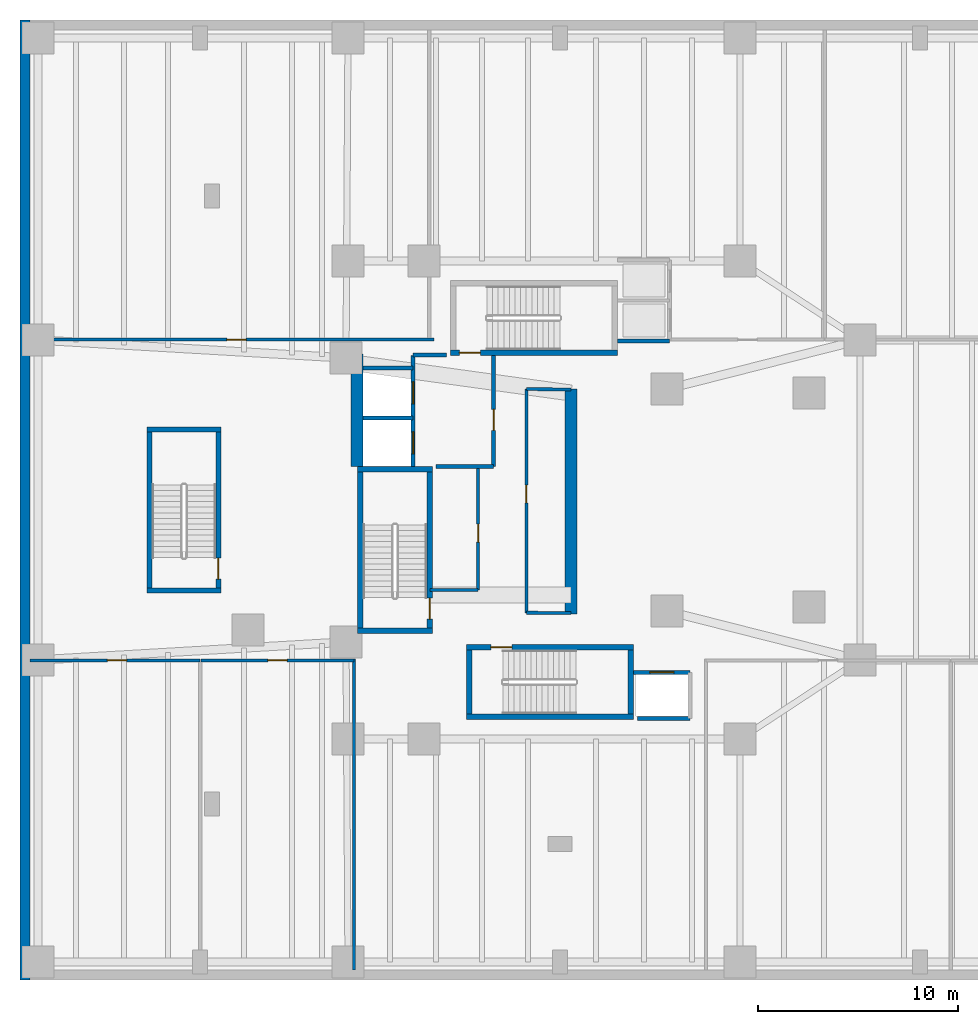
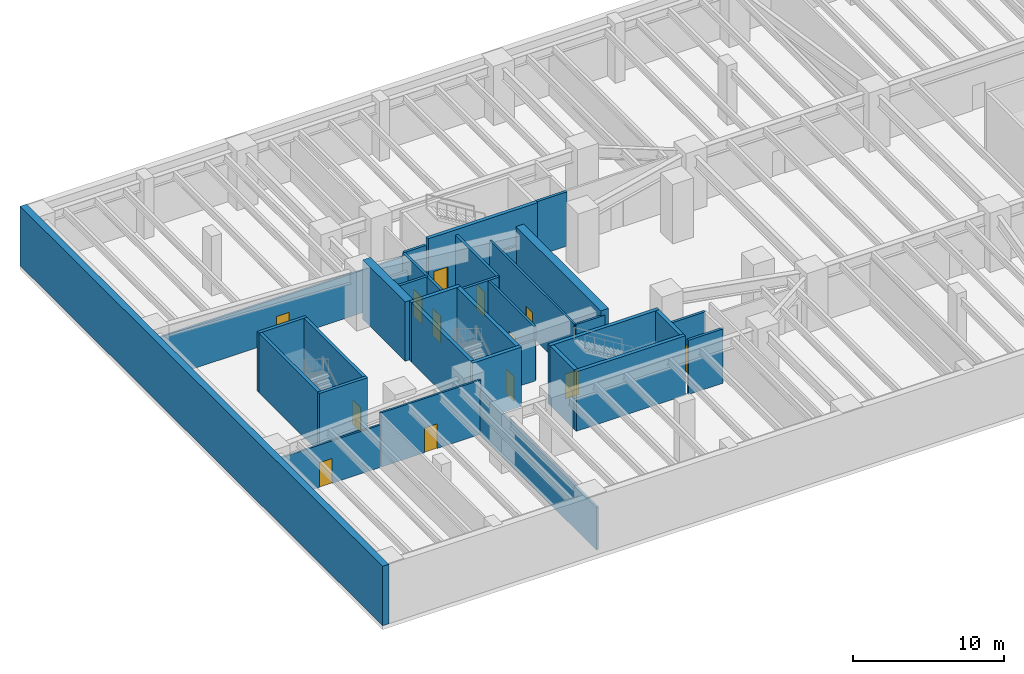
# One storey, part 3 of 9: 34 walls, 13 doors, 13 openings.
"""IFC4 building model written with IfcOpenShell, lengths in metres."""

from ifc_helpers import new_model, si_unit, direction, frame, frame_2d, origin, place, context, subcontext, project, spatial, rectangle, extrude, material, layer, layer_set, type_object, element, fill, save


model = new_model("IFC4")

# Units and contexts
model_context = context("Model", 3, precision=1e-05, world=origin(), true_north=direction((0.0, 1.0)))
body_context = subcontext(model_context, "Body", "Model", "MODEL_VIEW")
ifc_project = project(units=[si_unit("LENGTHUNIT", "METRE"), si_unit("AREAUNIT", "SQUARE_METRE"), si_unit("VOLUMEUNIT", "CUBIC_METRE"), si_unit("PLANEANGLEUNIT", "RADIAN"), si_unit("MASSUNIT", "GRAM", prefix="KILO"), si_unit("THERMODYNAMICTEMPERATUREUNIT", "KELVIN"), si_unit("POWERUNIT", "WATT")], contexts=[model_context])

# Site, building, storey
site_placement = place(None, origin())
site = spatial("IfcSite", under=ifc_project, at=site_placement, CompositionType="ELEMENT")
building_placement = place(site_placement, origin())
building = spatial("IfcBuilding", under=site, at=building_placement, Name="Skarre Station Tower", CompositionType="ELEMENT")
storey_placement = place(building_placement, frame((0.0, 0.0, -4.800048828125)))
storey = spatial("IfcBuildingStorey", under=building, at=storey_placement, Name="B01", CompositionType="ELEMENT", Elevation=-4.800048828125)

# Wall
ifc_material_1 = material(Name="Concrete C50/60", Category="concrete")
ifc_layer_1 = layer(ifc_material_1, 0.5, Name="Concrete C50/60")
ifc_layer_set_1 = layer_set([ifc_layer_1], Name="Concrete C50/60")
wall_type_1 = type_object("IfcWallType", Name="Basement Perimeter Retaining Wall 500", PredefinedType="USERDEFINED", material=ifc_layer_set_1)
wall_1_placement = place(storey_placement, frame((0.25, 0.0, 0.0), z_axis=(0.0, 0.0, 1.0), x_axis=(0.0, 1.0, 0.0)))
element("IfcWall", 1, at=wall_1_placement, inside=storey, type_object=wall_type_1, Name="B01 Perimeter Retaining Wall W", ObjectType="RETAININGWALL", PredefinedType="USERDEFINED", context=body_context, shape_type="SweptSolid", body=[
    extrude(rectangle(XDim=48.0, YDim=0.5, at=frame_2d((24.0, 0.0))), origin(), (0.0, 0.0, 1.0), 4.800048828125),
])

# Wall, opening, door
ifc_material_2 = material(Name="Acoustic Steel-Stud Gypsum Partition", Category="steel")
ifc_layer_2 = layer(ifc_material_2, 0.14990234375, Name="Acoustic Steel-Stud Gypsum Partition")
ifc_layer_set_2 = layer_set([ifc_layer_2], Name="Acoustic Steel-Stud Gypsum Partition")
wall_type_2 = type_object("IfcWallType", Name="Fire-Rated Corridor Acoustic Partition 150", PredefinedType="PARTITIONING", material=ifc_layer_set_2)
wall_2_placement = place(storey_placement, frame((22.89990234375, 19.5, 0.0), z_axis=(0.0, 0.0, 1.0), x_axis=(0.0, 1.0, 0.0)))
wall_2 = element("IfcWall", 2, at=wall_2_placement, inside=storey, type_object=wall_type_2, Name="B01 Interior Partition WL-PT-B01-B3-E", PredefinedType="PARTITIONING", context=body_context, shape_type="SweptSolid", body=[
    extrude(rectangle(XDim=6.10009765625, YDim=0.159912109375, at=frame_2d((3.050048828125, 0.0))), origin(), (0.0, 0.0, 1.0), 4.380126953125),
])
opening_1_placement = place(wall_2_placement, frame((2.39990234375, 0.0, 0.0)))
opening_1 = element("IfcOpeningElement", 3, at=opening_1_placement, cuts=wall_2, Name="Opening DR-SVC90", PredefinedType="OPENING", context=body_context, shape_type="SweptSolid", body=[
    extrude(rectangle(XDim=0.89990234375, YDim=2.0, at=frame_2d((0.449951171875, 1.0))), frame((0.0, 0.08984375, 0.0), z_axis=(0.0, -1.0, 0.0), x_axis=(1.0, 0.0, 0.0)), (0.0, 0.0, 1.0), 0.179931640625),
])
ifc_material_3 = material(Name="Powder-Coated Hollow-Metal Acoustic Fire Leaf", Category="steel")
door_type_1 = type_object("IfcDoorType", Name="Service & Riser Fire Door FD60 900x2100", OperationType="SINGLE_SWING_LEFT", PredefinedType="DOOR", material=ifc_material_3)
door_1_placement = place(opening_1_placement, origin())
door_1 = element("IfcDoor", 4, at=door_1_placement, inside=storey, type_object=door_type_1, Name="B01 Basement Riser Door", OperationType="SINGLE_SWING_RIGHT", OverallHeight=2.0, OverallWidth=0.89990234375, PredefinedType="DOOR", context=body_context, shape_type="SweptSolid", body=[
    extrude(rectangle(XDim=0.89990234375, YDim=2.0, at=frame_2d((0.449951171875, 1.0))), frame((0.0, 0.02490234375, 0.0), z_axis=(0.0, -1.0, 0.0), x_axis=(1.0, 0.0, 0.0)), (0.0, 0.0, 1.0), 0.050048828125),
])
fill(opening_1, door_1)

# Wall
wall_3_placement = place(storey_placement, frame((20.489990234375, 19.5, 0.0), z_axis=(0.0, 0.0, 1.0), x_axis=(1.0, 0.0, 0.0)))
element("IfcWall", 5, at=wall_3_placement, inside=storey, type_object=wall_type_2, Name="B01 Interior Partition WL-PT-B01-B3-S", PredefinedType="PARTITIONING", context=body_context, shape_type="SweptSolid", body=[
    extrude(rectangle(XDim=2.409912109375, YDim=0.159912109375, at=frame_2d((1.205078125, 0.0))), origin(), (0.0, 0.0, 1.0), 3.280029296875),
])

# Wall, opening, door
wall_4_placement = place(storey_placement, frame((25.320068359375, 29.550048828125, 0.0), z_axis=(0.0, 0.0, 1.0), x_axis=(0.0, -1.0, 0.0)))
wall_4 = element("IfcWall", 6, at=wall_4_placement, inside=storey, type_object=wall_type_2, Name="B01 Interior Partition WL-PT-B01-B12-W", PredefinedType="PARTITIONING", context=body_context, shape_type="SweptSolid", body=[
    extrude(rectangle(XDim=11.18994140625, YDim=0.159912109375, at=frame_2d((5.594970703125, 0.0))), origin(), (0.0, 0.0, 1.0), 4.380126953125),
])
opening_2_placement = place(wall_4_placement, frame((4.800048828125, 0.0, 0.0)))
opening_2 = element("IfcOpeningElement", 7, at=opening_2_placement, cuts=wall_4, Name="Opening DR-SVC90", PredefinedType="OPENING", context=body_context, shape_type="SweptSolid", body=[
    extrude(rectangle(XDim=0.89990234375, YDim=2.0, at=frame_2d((0.449951171875, 1.0))), frame((0.0, 0.08984375, 0.0), z_axis=(0.0, -1.0, 0.0), x_axis=(1.0, 0.0, 0.0)), (0.0, 0.0, 1.0), 0.179931640625),
])
door_2_placement = place(opening_2_placement, origin())
door_2 = element("IfcDoor", 8, at=door_2_placement, inside=storey, type_object=door_type_1, Name="B01 Hydronic Riser Door", OperationType="SINGLE_SWING_LEFT", OverallHeight=2.0, OverallWidth=0.89990234375, PredefinedType="DOOR", context=body_context, shape_type="SweptSolid", body=[
    extrude(rectangle(XDim=0.89990234375, YDim=2.0, at=frame_2d((0.449951171875, 1.0))), frame((0.0, 0.02490234375, 0.0), z_axis=(0.0, -1.0, 0.0), x_axis=(1.0, 0.0, 0.0)), (0.0, 0.0, 1.0), 0.050048828125),
])
fill(opening_2, door_2)

# Walls
wall_5_placement = place(storey_placement, frame((25.320068359375, 18.360107421875, 0.0), z_axis=(0.0, 0.0, 1.0), x_axis=(0.999989925833, -0.004488678231, 0.0)))
element("IfcWall", 9, at=wall_5_placement, inside=storey, type_object=wall_type_2, Name="B01 Interior Partition WL-PT-B01-B12-S", PredefinedType="PARTITIONING", context=body_context, shape_type="SweptSolid", body=[
    extrude(rectangle(XDim=2.22998046875, YDim=0.159912109375, at=frame_2d((1.114990234375, 0.0))), origin(), (0.0, 0.0, 1.0), 4.380126953125),
])
wall_6_placement = place(storey_placement, frame((27.550048828125, 29.52001953125, 0.0), z_axis=(0.0, 0.0, 1.0), x_axis=(-0.999909343457, 0.013464949556, 0.0)))
element("IfcWall", 10, at=wall_6_placement, inside=storey, type_object=wall_type_2, Name="B01 Interior Partition WL-PT-B01-B12-N", PredefinedType="PARTITIONING", context=body_context, shape_type="SweptSolid", body=[
    extrude(rectangle(XDim=2.230224609375, YDim=0.159912109375, at=frame_2d((1.115234375, 0.0))), origin(), (0.0, 0.0, 1.0), 3.280029296875),
])

# Wall, opening, door
wall_7_placement = place(storey_placement, frame((0.4951171875, 15.97998046875, 0.0), z_axis=(0.0, 0.0, 1.0), x_axis=(1.0, 0.0, 0.0)))
wall_7 = element("IfcWall", 11, at=wall_7_placement, inside=storey, type_object=wall_type_2, Name="B01 Interior Partition WL-PT-B01-PDSW1-CW", PredefinedType="PARTITIONING", context=body_context, shape_type="SweptSolid", body=[
    extrude(rectangle(XDim=8.498779296875, YDim=0.14990234375, at=frame_2d((4.24951171875, 0.0))), origin(), (0.0, 0.0, 1.0), 3.43212890625),
])
opening_3_placement = place(wall_7_placement, frame((3.8720703125, 0.0, 0.0)))
opening_3 = element("IfcOpeningElement", 12, at=opening_3_placement, cuts=wall_7, Name="Opening DR-FD60", PredefinedType="OPENING", context=body_context, shape_type="SweptSolid", body=[
    extrude(rectangle(XDim=0.9599609375, YDim=2.0, at=frame_2d((0.47998046875, 1.0))), frame((0.0, 0.0849609375, 0.0), z_axis=(0.0, -1.0, 0.0), x_axis=(1.0, 0.0, 0.0)), (0.0, 0.0, 1.0), 0.169921875),
])
ifc_material_4 = material(Name="Nordic White-Oak Veneer Solid-Core Fire Leaf", Category="wood")
door_type_2 = type_object("IfcDoorType", Name="Corridor Suite Entry Fire Door FD60 960x2150", OperationType="SINGLE_SWING_LEFT", PredefinedType="DOOR", material=ifc_material_4)
door_3_placement = place(opening_3_placement, origin())
door_3 = element("IfcDoor", 13, at=door_3_placement, inside=storey, type_object=door_type_2, Name="B01 PDSW1 Entry Door", OperationType="SINGLE_SWING_LEFT", OverallHeight=2.0, OverallWidth=0.9599609375, PredefinedType="DOOR", context=body_context, shape_type="SweptSolid", body=[
    extrude(rectangle(XDim=0.9599609375, YDim=2.0, at=frame_2d((0.47998046875, 1.0))), frame((0.0, 0.02490234375, 0.0), z_axis=(0.0, -1.0, 0.0), x_axis=(1.0, 0.0, 0.0)), (0.0, 0.0, 1.0), 0.050048828125),
])
fill(opening_3, door_3)

wall_8_placement = place(storey_placement, frame((9.0458984375, 15.97998046875, 0.0), z_axis=(0.0, 0.0, 1.0), x_axis=(1.0, 0.0, 0.0)))
wall_8 = element("IfcWall", 14, at=wall_8_placement, inside=storey, type_object=wall_type_2, Name="B01 Interior Partition WL-PT-B01-PDSW2-CW", PredefinedType="PARTITIONING", context=body_context, shape_type="SweptSolid", body=[
    extrude(rectangle(XDim=7.654052734375, YDim=0.14990234375, at=frame_2d((3.8271484375, 0.0))), origin(), (0.0, 0.0, 1.0), 4.380126953125),
])
opening_4_placement = place(wall_8_placement, frame((3.346923828125, 0.0, 0.0)))
opening_4 = element("IfcOpeningElement", 15, at=opening_4_placement, cuts=wall_8, Name="Opening DR-FD60", PredefinedType="OPENING", context=body_context, shape_type="SweptSolid", body=[
    extrude(rectangle(XDim=0.9599609375, YDim=2.0, at=frame_2d((0.47998046875, 1.0))), frame((0.0, 0.0849609375, 0.0), z_axis=(0.0, -1.0, 0.0), x_axis=(1.0, 0.0, 0.0)), (0.0, 0.0, 1.0), 0.169921875),
])
door_4_placement = place(opening_4_placement, origin())
door_4 = element("IfcDoor", 16, at=door_4_placement, inside=storey, type_object=door_type_2, Name="B01 PDSW2 Entry Door", OperationType="SINGLE_SWING_LEFT", OverallHeight=2.0, OverallWidth=0.9599609375, PredefinedType="DOOR", context=body_context, shape_type="SweptSolid", body=[
    extrude(rectangle(XDim=0.9599609375, YDim=2.0, at=frame_2d((0.47998046875, 1.0))), frame((0.0, 0.02490234375, 0.0), z_axis=(0.0, -1.0, 0.0), x_axis=(1.0, 0.0, 0.0)), (0.0, 0.0, 1.0), 0.050048828125),
])
fill(opening_4, door_4)

wall_9_placement = place(storey_placement, frame((20.69189453125, 32.02001953125, 0.0), z_axis=(0.0, 0.0, 1.0), x_axis=(-1.0, 0.0, 0.0)))
wall_9 = element("IfcWall", 17, at=wall_9_placement, inside=storey, type_object=wall_type_2, Name="B01 Interior Partition WL-PT-B01-PDN1-CW", PredefinedType="PARTITIONING", context=body_context, shape_type="SweptSolid", body=[
    extrude(rectangle(XDim=20.19677734375, YDim=0.14990234375, at=frame_2d((10.098388671875, 0.0))), origin(), (0.0, 0.0, 1.0), 3.43212890625),
])
opening_5_placement = place(wall_9_placement, frame((9.39111328125, 0.0, 0.0)))
opening_5 = element("IfcOpeningElement", 18, at=opening_5_placement, cuts=wall_9, Name="Opening DR-FD60", PredefinedType="OPENING", context=body_context, shape_type="SweptSolid", body=[
    extrude(rectangle(XDim=0.9599609375, YDim=2.0, at=frame_2d((0.47998046875, 1.0))), frame((0.0, 0.0849609375, 0.0), z_axis=(0.0, -1.0, 0.0), x_axis=(1.0, 0.0, 0.0)), (0.0, 0.0, 1.0), 0.169921875),
])
door_5_placement = place(opening_5_placement, origin())
door_5 = element("IfcDoor", 19, at=door_5_placement, inside=storey, type_object=door_type_2, Name="B01 PDN1 Entry Door", OperationType="SINGLE_SWING_LEFT", OverallHeight=2.0, OverallWidth=0.9599609375, PredefinedType="DOOR", context=body_context, shape_type="SweptSolid", body=[
    extrude(rectangle(XDim=0.9599609375, YDim=2.0, at=frame_2d((0.47998046875, 1.0))), frame((0.0, 0.02490234375, 0.0), z_axis=(0.0, -1.0, 0.0), x_axis=(1.0, 0.0, 0.0)), (0.0, 0.0, 1.0), 0.050048828125),
])
fill(opening_5, door_5)

# Walls
ifc_layer_3 = layer(ifc_material_1, 0.239990234375, Name="Concrete C50/60")
ifc_layer_set_3 = layer_set([ifc_layer_3], Name="Concrete C50/60")
wall_type_3 = type_object("IfcWallType", Name="RC Core Shear Wall 240", PredefinedType="SHEAR", material=ifc_layer_set_3)
for number, where, z_axis, x_axis, name in (
    (20, (6.360107421875, 19.47998046875, 0.0), (0.0, 0.0, 1.0), (1.0, 0.0, 0.0), "B01 Podium Stair ST-4 South Shear Wall"),
    (21, (10.0400390625, 27.52001953125, 0.0), (0.0, 0.0, 1.0), (-1.0, 0.0, 0.0), "B01 Podium Stair ST-4 North Shear Wall"),
):
    element("IfcWall", number, at=place(storey_placement, frame(where, z_axis=z_axis, x_axis=x_axis)), inside=storey, type_object=wall_type_3, Name=name, PredefinedType="SHEAR", context=body_context, shape_type="SweptSolid", body=[
        extrude(rectangle(XDim=3.679931640625, YDim=0.239990234375, at=frame_2d((1.83984375, 0.0))), origin(), (0.0, 0.0, 1.0), 4.800048828125),
    ])
wall_10_placement = place(storey_placement, frame((6.47998046875, 27.39990234375, 0.0), z_axis=(0.0, 0.0, 1.0), x_axis=(0.0, -1.0, 0.0)))
element("IfcWall", 22, at=wall_10_placement, inside=storey, type_object=wall_type_3, Name="B01 Podium Stair ST-4 West Shear Wall", PredefinedType="SHEAR", context=body_context, shape_type="SweptSolid", body=[
    extrude(rectangle(XDim=7.7998046875, YDim=0.239990234375, at=frame_2d((3.89990234375, 0.0))), origin(), (0.0, 0.0, 1.0), 4.800048828125),
])

# Wall, opening, door
wall_11_placement = place(storey_placement, frame((9.919921875, 19.60009765625, 0.0), z_axis=(0.0, 0.0, 1.0), x_axis=(0.0, 1.0, 0.0)))
wall_11 = element("IfcWall", 23, at=wall_11_placement, inside=storey, type_object=wall_type_3, Name="B01 Podium Stair ST-4 East Shear Wall", PredefinedType="SHEAR", context=body_context, shape_type="SweptSolid", body=[
    extrude(rectangle(XDim=7.7998046875, YDim=0.239990234375, at=frame_2d((3.89990234375, 0.0))), origin(), (0.0, 0.0, 1.0), 4.800048828125),
])
opening_6_placement = place(wall_11_placement, frame((0.43994140625, 0.0, 0.0)))
opening_6 = element("IfcOpeningElement", 24, at=opening_6_placement, cuts=wall_11, Name="Opening DR-FD90", PredefinedType="OPENING", context=body_context, shape_type="SweptSolid", body=[
    extrude(rectangle(XDim=1.050048828125, YDim=2.0, at=frame_2d((0.52490234375, 1.0))), frame((0.0, 0.1298828125, 0.0), z_axis=(0.0, -1.0, 0.0), x_axis=(1.0, 0.0, 0.0)), (0.0, 0.0, 1.0), 0.260009765625),
])
ifc_material_5 = material(Name="Fire-Rated Insulated Steel Frame & Timber Core Leaf", Category="steel")
door_type_3 = type_object("IfcDoorType", Name="Stair & FSAE Lobby Fire Door FD90 1050x2150", OperationType="SINGLE_SWING_RIGHT", PredefinedType="DOOR", material=ifc_material_5)
door_6_placement = place(opening_6_placement, origin())
door_6 = element("IfcDoor", 25, at=door_6_placement, inside=storey, type_object=door_type_3, Name="B01 Podium Stair ST-4 Exit Door", OperationType="SINGLE_SWING_RIGHT", OverallHeight=2.0, OverallWidth=1.050048828125, PredefinedType="DOOR", context=body_context, shape_type="SweptSolid", body=[
    extrude(rectangle(XDim=1.050048828125, YDim=2.0, at=frame_2d((0.52490234375, 1.0))), frame((0.0, 0.02490234375, 0.0), z_axis=(0.0, -1.0, 0.0), x_axis=(1.0, 0.0, 0.0)), (0.0, 0.0, 1.0), 0.050048828125),
])
fill(opening_6, door_6)

# Walls
ifc_layer_4 = layer(ifc_material_1, 0.280029296875, Name="Concrete C50/60")
ifc_layer_set_4 = layer_set([ifc_layer_4], Name="Concrete C50/60")
wall_type_4 = type_object("IfcWallType", Name="RC Core Shear Wall 280", PredefinedType="SHEAR", material=ifc_layer_set_4)
for number, where, z_axis, x_axis, name in (
    (26, (16.8701171875, 17.4599609375, 0.0), (0.0, 0.0, 1.0), (1.0, 0.0, 0.0), "B01 Stair ST-1 South Shear Wall"),
    (27, (20.6298828125, 25.5400390625, 0.0), (0.0, 0.0, 1.0), (-1.0, 0.0, 0.0), "B01 Stair ST-1 North Shear Wall"),
):
    element("IfcWall", number, at=place(storey_placement, frame(where, z_axis=z_axis, x_axis=x_axis)), inside=storey, type_object=wall_type_4, Name=name, PredefinedType="SHEAR", context=body_context, shape_type="SweptSolid", body=[
        extrude(rectangle(XDim=3.759765625, YDim=0.280029296875, at=frame_2d((1.8798828125, 0.0))), origin(), (0.0, 0.0, 1.0), 4.800048828125),
    ])
wall_12_placement = place(storey_placement, frame((17.010009765625, 25.39990234375, 0.0), z_axis=(0.0, 0.0, 1.0), x_axis=(0.0, -1.0, 0.0)))
element("IfcWall", 28, at=wall_12_placement, inside=storey, type_object=wall_type_4, Name="B01 Stair ST-1 West Shear Wall", PredefinedType="SHEAR", context=body_context, shape_type="SweptSolid", body=[
    extrude(rectangle(XDim=7.7998046875, YDim=0.280029296875, at=frame_2d((3.89990234375, 0.0))), origin(), (0.0, 0.0, 1.0), 4.800048828125),
])

# Wall, opening, door
wall_13_placement = place(storey_placement, frame((20.489990234375, 17.60009765625, 0.0), z_axis=(0.0, 0.0, 1.0), x_axis=(0.0, 1.0, 0.0)))
wall_13 = element("IfcWall", 29, at=wall_13_placement, inside=storey, type_object=wall_type_4, Name="B01 Stair ST-1 East Shear Wall", PredefinedType="SHEAR", context=body_context, shape_type="SweptSolid", body=[
    extrude(rectangle(XDim=7.7998046875, YDim=0.280029296875, at=frame_2d((3.89990234375, 0.0))), origin(), (0.0, 0.0, 1.0), 4.800048828125),
])
opening_7_placement = place(wall_13_placement, frame((0.43994140625, 0.0, 0.0)))
opening_7 = element("IfcOpeningElement", 30, at=opening_7_placement, cuts=wall_13, Name="Opening DR-FD90", PredefinedType="OPENING", context=body_context, shape_type="SweptSolid", body=[
    extrude(rectangle(XDim=1.050048828125, YDim=2.0, at=frame_2d((0.52490234375, 1.0))), frame((0.0, 0.14990234375, 0.0), z_axis=(0.0, -1.0, 0.0), x_axis=(1.0, 0.0, 0.0)), (0.0, 0.0, 1.0), 0.300048828125),
])
door_7_placement = place(opening_7_placement, origin())
door_7 = element("IfcDoor", 31, at=door_7_placement, inside=storey, type_object=door_type_3, Name="B01 Stair ST-1 Exit Door", OperationType="SINGLE_SWING_RIGHT", OverallHeight=2.0, OverallWidth=1.050048828125, PredefinedType="DOOR", context=body_context, shape_type="SweptSolid", body=[
    extrude(rectangle(XDim=1.050048828125, YDim=2.0, at=frame_2d((0.52490234375, 1.0))), frame((0.0, 0.02490234375, 0.0), z_axis=(0.0, -1.0, 0.0), x_axis=(1.0, 0.0, 0.0)), (0.0, 0.0, 1.0), 0.050048828125),
])
fill(opening_7, door_7)

# Wall
wall_14_placement = place(storey_placement, frame((22.320068359375, 13.159912109375, 0.0), z_axis=(0.0, 0.0, 1.0), x_axis=(1.0, 0.0, 0.0)))
element("IfcWall", 32, at=wall_14_placement, inside=storey, type_object=wall_type_4, Name="B01 Stair ST-2 South Shear Wall", PredefinedType="SHEAR", context=body_context, shape_type="SweptSolid", body=[
    extrude(rectangle(XDim=8.35986328125, YDim=0.280029296875, at=frame_2d((4.179931640625, 0.0))), origin(), (0.0, 0.0, 1.0), 4.800048828125),
])

# Wall, opening, door
wall_15_placement = place(storey_placement, frame((30.679931640625, 16.639892578125, 0.0), z_axis=(0.0, 0.0, 1.0), x_axis=(-1.0, 0.0, 0.0)))
wall_15 = element("IfcWall", 33, at=wall_15_placement, inside=storey, type_object=wall_type_4, Name="B01 Stair ST-2 North Shear Wall", PredefinedType="SHEAR", context=body_context, shape_type="SweptSolid", body=[
    extrude(rectangle(XDim=8.35986328125, YDim=0.280029296875, at=frame_2d((4.179931640625, 0.0))), origin(), (0.0, 0.0, 1.0), 4.800048828125),
])
opening_8_placement = place(wall_15_placement, frame((6.080078125, 0.0, 0.0)))
opening_8 = element("IfcOpeningElement", 34, at=opening_8_placement, cuts=wall_15, Name="Opening DR-FD90", PredefinedType="OPENING", context=body_context, shape_type="SweptSolid", body=[
    extrude(rectangle(XDim=1.050048828125, YDim=2.0, at=frame_2d((0.52490234375, 1.0))), frame((0.0, 0.14990234375, 0.0), z_axis=(0.0, -1.0, 0.0), x_axis=(1.0, 0.0, 0.0)), (0.0, 0.0, 1.0), 0.300048828125),
])
door_8_placement = place(opening_8_placement, origin())
door_8 = element("IfcDoor", 35, at=door_8_placement, inside=storey, type_object=door_type_3, Name="B01 Stair ST-2 Exit Door", OperationType="SINGLE_SWING_RIGHT", OverallHeight=2.0, OverallWidth=1.050048828125, PredefinedType="DOOR", context=body_context, shape_type="SweptSolid", body=[
    extrude(rectangle(XDim=1.050048828125, YDim=2.0, at=frame_2d((0.52490234375, 1.0))), frame((0.0, 0.02490234375, 0.0), z_axis=(0.0, -1.0, 0.0), x_axis=(1.0, 0.0, 0.0)), (0.0, 0.0, 1.0), 0.050048828125),
])
fill(opening_8, door_8)

# Walls
for number, where, z_axis, x_axis, name in (
    (36, (22.4599609375, 16.5, 0.0), (0.0, 0.0, 1.0), (0.0, -1.0, 0.0), "B01 Stair ST-2 West Shear Wall"),
    (37, (30.5400390625, 13.300048828125, 0.0), (0.0, 0.0, 1.0), (0.0, 1.0, 0.0), "B01 Stair ST-2 East Shear Wall"),
):
    element("IfcWall", number, at=place(storey_placement, frame(where, z_axis=z_axis, x_axis=x_axis)), inside=storey, type_object=wall_type_4, Name=name, PredefinedType="SHEAR", context=body_context, shape_type="SweptSolid", body=[
        extrude(rectangle(XDim=3.199951171875, YDim=0.280029296875, at=frame_2d((1.60009765625, 0.0))), origin(), (0.0, 0.0, 1.0), 4.800048828125),
    ])

# Wall, opening, door
wall_16_placement = place(storey_placement, frame((21.52001953125, 31.360107421875, 0.0), z_axis=(0.0, 0.0, 1.0), x_axis=(1.0, 0.0, 0.0)))
wall_16 = element("IfcWall", 38, at=wall_16_placement, inside=storey, type_object=wall_type_4, Name="B01 Stair ST-3 South Shear Wall", PredefinedType="SHEAR", context=body_context, shape_type="SweptSolid", body=[
    extrude(rectangle(XDim=8.35986328125, YDim=0.280029296875, at=frame_2d((4.179931640625, 0.0))), origin(), (0.0, 0.0, 1.0), 4.800048828125),
])
opening_9_placement = place(wall_16_placement, frame((0.449951171875, 0.0, 0.0)))
opening_9 = element("IfcOpeningElement", 39, at=opening_9_placement, cuts=wall_16, Name="Opening DR-FD90", PredefinedType="OPENING", context=body_context, shape_type="SweptSolid", body=[
    extrude(rectangle(XDim=1.050048828125, YDim=2.0, at=frame_2d((0.52490234375, 1.0))), frame((0.0, 0.14990234375, 0.0), z_axis=(0.0, -1.0, 0.0), x_axis=(1.0, 0.0, 0.0)), (0.0, 0.0, 1.0), 0.300048828125),
])
door_9_placement = place(opening_9_placement, origin())
door_9 = element("IfcDoor", 40, at=door_9_placement, inside=storey, type_object=door_type_3, Name="B01 Stair ST-3 & FSAE Lobby Direct Exit Door", OperationType="SINGLE_SWING_LEFT", OverallHeight=2.0, OverallWidth=1.050048828125, PredefinedType="DOOR", context=body_context, shape_type="SweptSolid", body=[
    extrude(rectangle(XDim=1.050048828125, YDim=2.0, at=frame_2d((0.52490234375, 1.0))), frame((0.0, 0.02490234375, 0.0), z_axis=(0.0, -1.0, 0.0), x_axis=(1.0, 0.0, 0.0)), (0.0, 0.0, 1.0), 0.050048828125),
])
fill(opening_9, door_9)

# Walls
ifc_material_6 = material(Name="Concrete C70/85", Category="concrete")
ifc_layer_5 = layer(ifc_material_6, 0.60009765625, Name="Concrete C70/85")
ifc_layer_set_5 = layer_set([ifc_layer_5], Name="Concrete C70/85")
wall_type_5 = type_object("IfcWallType", Name="RC Core Shear Wall 600", PredefinedType="SHEAR", material=ifc_layer_set_5)
wall_17_placement = place(storey_placement, frame((16.85009765625, 25.679931640625, 0.0), z_axis=(0.0, 0.0, 1.0), x_axis=(0.0, 1.0, 0.0)))
element("IfcWall", 41, at=wall_17_placement, inside=storey, type_object=wall_type_5, Name="B01 Core West-North Shear Wall", PredefinedType="SHEAR", context=body_context, shape_type="SweptSolid", body=[
    extrude(rectangle(XDim=5.6201171875, YDim=0.60009765625, at=frame_2d((2.81005859375, 0.0))), origin(), (0.0, 0.0, 1.0), 4.800048828125),
])
wall_18_placement = place(storey_placement, frame((27.550048828125, 29.550048828125, 0.0), z_axis=(0.0, 0.0, 1.0), x_axis=(0.0, -1.0, 0.0)))
element("IfcWall", 42, at=wall_18_placement, inside=storey, type_object=wall_type_5, Name="B01 Core East Atrium Shear Wall", PredefinedType="SHEAR", context=body_context, shape_type="SweptSolid", body=[
    extrude(rectangle(XDim=11.25, YDim=0.60009765625, at=frame_2d((5.625, 0.0))), origin(), (0.0, 0.0, 1.0), 4.800048828125),
])

# Wall, openings, doors
ifc_material_7 = material(Name="Gypsum Concrete Shaft Assembly C30/37", Category="concrete")
ifc_layer_6 = layer(ifc_material_7, 0.199951171875, Name="Gypsum Concrete Shaft Assembly C30/37")
ifc_layer_set_6 = layer_set([ifc_layer_6], Name="Gypsum Concrete Shaft Assembly C30/37")
wall_type_6 = type_object("IfcWallType", Name="Shaft & Core Fire Partition 200", PredefinedType="PARTITIONING", material=ifc_layer_set_6)
wall_19_placement = place(storey_placement, frame((19.64990234375, 25.679931640625, 0.0), z_axis=(0.0, 0.0, 1.0), x_axis=(0.0, 1.0, 0.0)))
wall_19 = element("IfcWall", 43, at=wall_19_placement, inside=storey, type_object=wall_type_6, Name="B01 Interior Partition WL-PT-B01-FSAE-W", PredefinedType="PARTITIONING", context=body_context, shape_type="SweptSolid", body=[
    extrude(rectangle(XDim=5.5400390625, YDim=0.199951171875, at=frame_2d((2.77001953125, 0.0))), origin(), (0.0, 0.0, 1.0), 4.380126953125),
])
opening_10_placement = place(wall_19_placement, frame((0.6201171875, 0.0, 0.0)))
opening_10 = element("IfcOpeningElement", 44, at=opening_10_placement, cuts=wall_19, Name="Opening LD-FF1", PredefinedType="OPENING", context=body_context, shape_type="SweptSolid", body=[
    extrude(rectangle(XDim=1.10009765625, YDim=2.199951171875, at=frame_2d((0.550048828125, 1.10009765625))), frame((0.0, 0.10986328125, 0.0), z_axis=(0.0, -1.0, 0.0), x_axis=(1.0, 0.0, 0.0)), (0.0, 0.0, 1.0), 0.219970703125),
])
opening_11_placement = place(wall_19_placement, frame((3.1201171875, 0.0, 0.0)))
opening_11 = element("IfcOpeningElement", 45, at=opening_11_placement, cuts=wall_19, Name="Opening LD-FF2", PredefinedType="OPENING", context=body_context, shape_type="SweptSolid", body=[
    extrude(rectangle(XDim=1.10009765625, YDim=2.199951171875, at=frame_2d((0.550048828125, 1.10009765625))), frame((0.0, 0.10986328125, 0.0), z_axis=(0.0, -1.0, 0.0), x_axis=(1.0, 0.0, 0.0)), (0.0, 0.0, 1.0), 0.219970703125),
])
ifc_material_8 = material(Name="Fire-Rated Stainless Steel Grade 316L Sliding Leaves", Category="steel")
door_type_4 = type_object("IfcDoorType", Name="Fire Service Access Elevator Sliding Landing Door 1100x2200", OperationType="SLIDING_TO_LEFT", PredefinedType="DOOR", material=ifc_material_8)
door_10_placement = place(opening_10_placement, origin())
door_10 = element("IfcDoor", 46, at=door_10_placement, inside=storey, type_object=door_type_4, Name="B01 Firefighting Lift LF-FF1 Landing Door", OperationType="SLIDING_TO_LEFT", OverallHeight=2.199951171875, OverallWidth=1.10009765625, PredefinedType="DOOR", context=body_context, shape_type="SweptSolid", body=[
    extrude(rectangle(XDim=1.10009765625, YDim=2.199951171875, at=frame_2d((0.550048828125, 1.10009765625))), frame((0.0, 0.02490234375, 0.0), z_axis=(0.0, -1.0, 0.0), x_axis=(1.0, 0.0, 0.0)), (0.0, 0.0, 1.0), 0.050048828125),
])
fill(opening_10, door_10)
door_11_placement = place(opening_11_placement, origin())
door_11 = element("IfcDoor", 47, at=door_11_placement, inside=storey, type_object=door_type_4, Name="B01 Firefighting Lift LF-FF2 Landing Door", OperationType="SLIDING_TO_LEFT", OverallHeight=2.199951171875, OverallWidth=1.10009765625, PredefinedType="DOOR", context=body_context, shape_type="SweptSolid", body=[
    extrude(rectangle(XDim=1.10009765625, YDim=2.199951171875, at=frame_2d((0.550048828125, 1.10009765625))), frame((0.0, 0.02490234375, 0.0), z_axis=(0.0, -1.0, 0.0), x_axis=(1.0, 0.0, 0.0)), (0.0, 0.0, 1.0), 0.050048828125),
])
fill(opening_11, door_11)

# Wall
wall_20_placement = place(storey_placement, frame((20.79296875, 25.679931640625, 0.0), z_axis=(0.0, 0.0, 1.0), x_axis=(1.0, 0.0, 0.0)))
element("IfcWall", 48, at=wall_20_placement, inside=storey, type_object=wall_type_6, Name="B01 Interior Partition WL-PT-B01-FSAE-S", PredefinedType="PARTITIONING", context=body_context, shape_type="SweptSolid", body=[
    extrude(rectangle(XDim=2.886962890625, YDim=0.199951171875, at=frame_2d((1.443359375, 0.0))), origin(), (0.0, 0.0, 1.0), 4.380126953125),
])

# Wall, opening, door
wall_21_placement = place(storey_placement, frame((23.679931640625, 25.679931640625, 0.0), z_axis=(0.0, 0.0, 1.0), x_axis=(0.0, 1.0, 0.0)))
wall_21 = element("IfcWall", 49, at=wall_21_placement, inside=storey, type_object=wall_type_6, Name="B01 Interior Partition WL-PT-B01-FSAE-E", PredefinedType="PARTITIONING", context=body_context, shape_type="SweptSolid", body=[
    extrude(rectangle(XDim=5.5400390625, YDim=0.199951171875, at=frame_2d((2.77001953125, 0.0))), origin(), (0.0, 0.0, 1.0), 4.380126953125),
])
opening_12_placement = place(wall_21_placement, frame((1.800048828125, 0.0, 0.0)))
opening_12 = element("IfcOpeningElement", 50, at=opening_12_placement, cuts=wall_21, Name="Opening DR-FD90", PredefinedType="OPENING", context=body_context, shape_type="SweptSolid", body=[
    extrude(rectangle(XDim=1.050048828125, YDim=2.0, at=frame_2d((0.52490234375, 1.0))), frame((0.0, 0.10986328125, 0.0), z_axis=(0.0, -1.0, 0.0), x_axis=(1.0, 0.0, 0.0)), (0.0, 0.0, 1.0), 0.219970703125),
])
door_12_placement = place(opening_12_placement, origin())
door_12 = element("IfcDoor", 51, at=door_12_placement, inside=storey, type_object=door_type_3, Name="B01 FSAE Lobby Fire Door", OperationType="SINGLE_SWING_RIGHT", OverallHeight=2.0, OverallWidth=1.050048828125, PredefinedType="DOOR", context=body_context, shape_type="SweptSolid", body=[
    extrude(rectangle(XDim=1.050048828125, YDim=2.0, at=frame_2d((0.52490234375, 1.0))), frame((0.0, 0.02490234375, 0.0), z_axis=(0.0, -1.0, 0.0), x_axis=(1.0, 0.0, 0.0)), (0.0, 0.0, 1.0), 0.050048828125),
])
fill(opening_12, door_12)

# Walls
wall_22_placement = place(storey_placement, frame((21.330078125, 31.260009765625, 0.0), z_axis=(0.0, 0.0, 1.0), x_axis=(-1.0, 0.0, 0.0)))
element("IfcWall", 52, at=wall_22_placement, inside=storey, type_object=wall_type_6, Name="B01 Interior Partition WL-PT-B01-FSAE-N", PredefinedType="PARTITIONING", context=body_context, shape_type="SweptSolid", body=[
    extrude(rectangle(XDim=1.68017578125, YDim=0.199951171875, at=frame_2d((0.840087890625, 0.0))), origin(), (0.0, 0.0, 1.0), 4.380126953125),
])
wall_23_placement = place(storey_placement, frame((17.14990234375, 28.10009765625, 0.0), z_axis=(0.0, 0.0, 1.0), x_axis=(1.0, 0.0, 0.0)))
element("IfcWall", 53, at=wall_23_placement, inside=storey, type_object=wall_type_6, Name="B01 Interior Partition WL-PT-B01-FF-DIV", PredefinedType="PARTITIONING", context=body_context, shape_type="SweptSolid", body=[
    extrude(rectangle(XDim=2.5, YDim=0.199951171875, at=frame_2d((1.25, 0.0))), origin(), (0.0, 0.0, 1.0), 4.380126953125),
])
wall_24_placement = place(storey_placement, frame((19.64990234375, 30.60009765625, 0.0), z_axis=(0.0, 0.0, 1.0), x_axis=(-1.0, 0.0, 0.0)))
element("IfcWall", 54, at=wall_24_placement, inside=storey, type_object=wall_type_6, Name="B01 Interior Partition WL-PT-B01-FF-N", PredefinedType="PARTITIONING", context=body_context, shape_type="SweptSolid", body=[
    extrude(rectangle(XDim=2.5, YDim=0.199951171875, at=frame_2d((1.25, 0.0))), origin(), (0.0, 0.0, 1.0), 3.280029296875),
])

# Wall, opening, door
wall_25_placement = place(storey_placement, frame((33.5, 15.3798828125, 0.0), z_axis=(0.0, 0.0, 1.0), x_axis=(-1.0, 0.0, 0.0)))
wall_25 = element("IfcWall", 55, at=wall_25_placement, inside=storey, type_object=wall_type_6, Name="B01 Interior Partition WL-PT-B01-SV1-N", PredefinedType="PARTITIONING", context=body_context, shape_type="SweptSolid", body=[
    extrude(rectangle(XDim=2.820068359375, YDim=0.199951171875, at=frame_2d((1.41015625, 0.0))), origin(), (0.0, 0.0, 1.0), 4.380126953125),
])
opening_13_placement = place(wall_25_placement, frame((0.800048828125, 0.0, 0.0)))
opening_13 = element("IfcOpeningElement", 56, at=opening_13_placement, cuts=wall_25, Name="Opening LD-SV1", PredefinedType="OPENING", context=body_context, shape_type="SweptSolid", body=[
    extrude(rectangle(XDim=1.199951171875, YDim=2.199951171875, at=frame_2d((0.60009765625, 1.10009765625))), frame((0.0, 0.10986328125, 0.0), z_axis=(0.0, -1.0, 0.0), x_axis=(1.0, 0.0, 0.0)), (0.0, 0.0, 1.0), 0.219970703125),
])
ifc_material_9 = material(Name="Heavy-Gauge Brushed Stainless Steel Sliding Leaves", Category="steel")
door_type_5 = type_object("IfcDoorType", Name="Service Elevator Wide Sliding Landing Door 1200x2200", OperationType="SLIDING_TO_RIGHT", PredefinedType="DOOR", material=ifc_material_9)
door_13_placement = place(opening_13_placement, origin())
door_13 = element("IfcDoor", 57, at=door_13_placement, inside=storey, type_object=door_type_5, Name="B01 Service Lift LF-SV1 Landing Door", OperationType="SLIDING_TO_RIGHT", OverallHeight=2.199951171875, OverallWidth=1.199951171875, PredefinedType="DOOR", context=body_context, shape_type="SweptSolid", body=[
    extrude(rectangle(XDim=1.199951171875, YDim=2.199951171875, at=frame_2d((0.60009765625, 1.10009765625))), frame((0.0, 0.02490234375, 0.0), z_axis=(0.0, -1.0, 0.0), x_axis=(1.0, 0.0, 0.0)), (0.0, 0.0, 1.0), 0.050048828125),
])
fill(opening_13, door_13)

# Walls
wall_26_placement = place(storey_placement, frame((30.87890625, 13.080078125, 0.0), z_axis=(0.0, 0.0, 1.0), x_axis=(1.0, 0.0, 0.0)))
element("IfcWall", 58, at=wall_26_placement, inside=storey, type_object=wall_type_6, Name="B01 Interior Partition WL-PT-B01-SV1-S", PredefinedType="PARTITIONING", context=body_context, shape_type="SweptSolid", body=[
    extrude(rectangle(XDim=2.62109375, YDim=0.199951171875, at=frame_2d((1.310546875, 0.0))), origin(), (0.0, 0.0, 1.0), 4.380126953125),
])
wall_27_placement = place(storey_placement, frame((32.47998046875, 31.949951171875, 0.0), z_axis=(0.0, 0.0, 1.0), x_axis=(-1.0, 0.0, 0.0)))
element("IfcWall", 59, at=wall_27_placement, inside=storey, type_object=wall_type_6, Name="B01 Interior Partition WL-PT-B01-EX-S", PredefinedType="PARTITIONING", context=body_context, shape_type="SweptSolid", body=[
    extrude(rectangle(XDim=2.60009765625, YDim=0.199951171875, at=frame_2d((1.300048828125, 0.0))), origin(), (0.0, 0.0, 1.0), 4.380126953125),
])
ifc_layer_7 = layer(ifc_material_2, 0.1650390625, Name="Acoustic Steel-Stud Gypsum Partition")
ifc_layer_set_7 = layer_set([ifc_layer_7], Name="Acoustic Steel-Stud Gypsum Partition")
wall_type_7 = type_object("IfcWallType", Name="Suite Demising Acoustic Partition 165", PredefinedType="PARTITIONING", material=ifc_layer_set_7)
wall_28_placement = place(storey_placement, frame((16.699951171875, 0.4951171875, 0.0), z_axis=(0.0, 0.0, 1.0), x_axis=(0.0, 1.0, 0.0)))
element("IfcWall", 60, at=wall_28_placement, inside=storey, type_object=wall_type_7, Name="B01 Interior Partition WL-PT-B01-PDSW-E", PredefinedType="PARTITIONING", context=body_context, shape_type="SweptSolid", body=[
    extrude(rectangle(XDim=15.554931640625, YDim=0.1650390625, at=frame_2d((7.77734375, 0.0))), origin(), (0.0, 0.0, 1.0), 3.453125),
])

save(model, "model.ifc")
